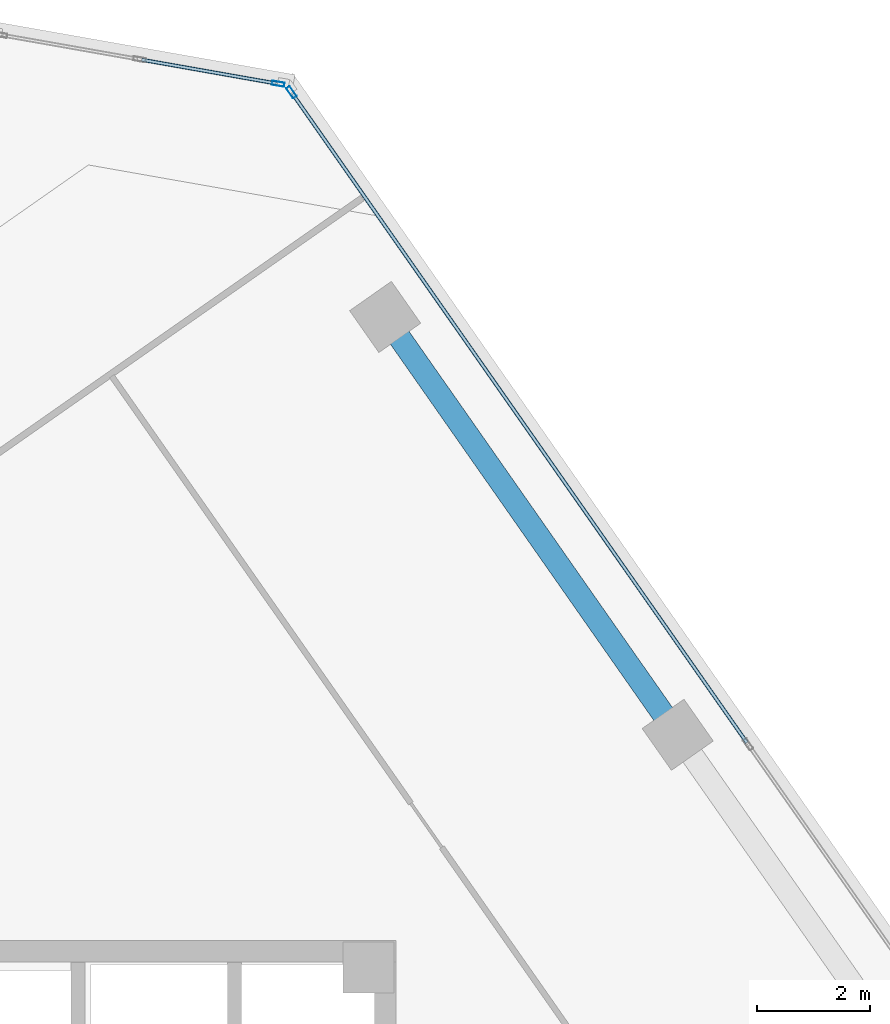
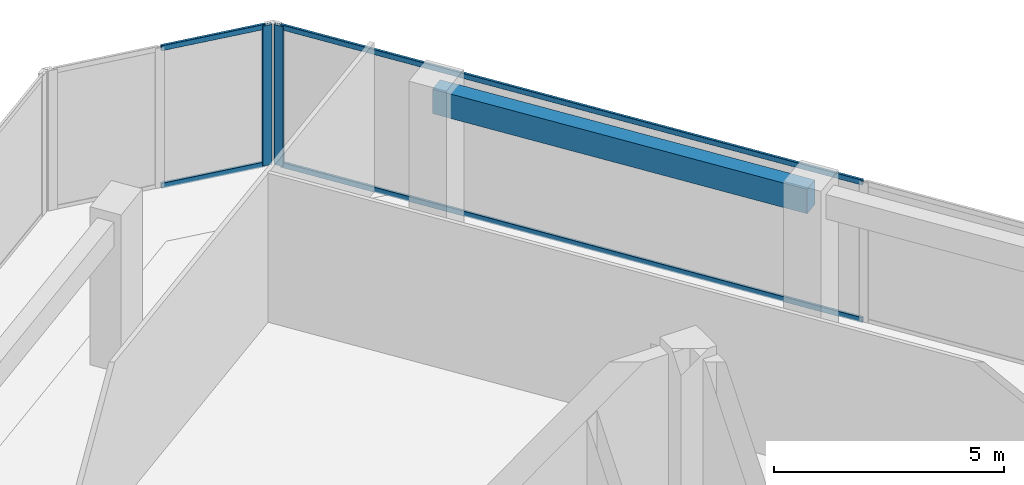
# One storey, part 10 of 17: 6 members, 1 beam, 2 elements without a shape of their own.
"""IFC4 building model written with IfcOpenShell, lengths in metres."""

from ifc_helpers import new_model, si_unit, direction, frame, origin, origin_2d, place, context, subcontext, project, spatial, rectangle, hollow_rectangle, extrude, source, transform, mapped, material, material_profile, profile_set, type_object, element, aggregate, save


model = new_model("IFC4")

# Units and contexts
model_context = context("Model", 3, precision=1e-05, world=origin(), true_north=direction((0.0, 1.0)))
body_context = subcontext(model_context, "Body", "Model", "MODEL_VIEW")
ifc_project = project(units=[si_unit("LENGTHUNIT", "METRE"), si_unit("AREAUNIT", "SQUARE_METRE"), si_unit("VOLUMEUNIT", "CUBIC_METRE"), si_unit("PLANEANGLEUNIT", "RADIAN"), si_unit("MASSUNIT", "GRAM", prefix="KILO")], contexts=[model_context])

# Site, building, storey
site_placement = place(None, origin())
site = spatial("IfcSite", under=ifc_project, at=site_placement, CompositionType="ELEMENT")
building_placement = place(site_placement, origin())
building = spatial("IfcBuilding", under=site, at=building_placement, Name="Torre Montelarca", CompositionType="ELEMENT")
storey_placement = place(building_placement, frame((0.0, 0.0, 298.800048828125)))
storey = spatial("IfcBuildingStorey", under=building, at=storey_placement, Name="L67", CompositionType="ELEMENT", Elevation=298.800048828125)

# Beam
ifc_material_1 = material(Name="Concrete C40/50", Category="concrete")
ifc_material_profile_1 = material_profile(ifc_material_1, rectangle(XDim=0.39990234375, YDim=0.64990234375, at=origin_2d()), Name="RCB400X650", Category="concrete")
ifc_profile_set_1 = profile_set([ifc_material_profile_1], Name="Concrete C40/50")
beam_type = type_object("IfcBeamType", Name="BM-SP-RC650-EXT", PredefinedType="SPANDREL", material=ifc_profile_set_1)
shared_shape_1 = source(origin(), body_context, "Body", "SweptSolid", [
    extrude(rectangle(XDim=0.39990234375, YDim=0.64990234375, at=origin_2d()), origin(), (0.0, 0.0, 1.0), 9.0),
])
beam_placement = place(storey_placement, frame((26.740478515625, 50.92919921875, 3.635009765625), z_axis=(0.573560650686, -0.819163097304, 0.0), x_axis=(0.819163097304, 0.573560650686, 0.0)))
element("IfcBeam", 1, at=beam_placement, inside=storey, type_object=beam_type, Name="L67 Grid Girder X 9.0-18.0 at Y=47.1", PredefinedType="SPANDREL", context=body_context, shape_type="MappedRepresentation", body=[
    mapped(shared_shape_1, transform((0.0, 0.0, 0.0), scale=1.0)),
])

# Curtain wall, member
ifc_material_2 = material(Name="Insulated low-E laminated glass", Category="glass")
curtain_wall_type = type_object("IfcCurtainWallType", Name="CW-SYS-Z4", PredefinedType="USERDEFINED", material=ifc_material_2)
curtain_wall_1_placement = place(storey_placement, origin())
curtain_wall_1 = element("IfcCurtainWall", 2, at=curtain_wall_1_placement, inside=storey, type_object=curtain_wall_type, Name="L67 Curtain Wall Run CW-T3-L67-E08-B1", ObjectType="UNITISED GLAZING", PredefinedType="USERDEFINED")
ifc_material_3 = material(Name="Anodised aluminium AA 6063-T6", Category="aluminium")
ifc_material_profile_2 = material_profile(ifc_material_3, hollow_rectangle(XDim=0.074951171875, YDim=0.219970703125, WallThickness=0.0048828125, InnerFilletRadius=0.0048828125, OuterFilletRadius=0.010009765625, at=origin_2d()), Name="ALU75X220X5", Category="aluminium")
ifc_profile_set_2 = profile_set([ifc_material_profile_2], Name="Anodised aluminium AA 6063-T6")
member_type_1 = type_object("IfcMemberType", Name="CWM-ALU220", PredefinedType="MULLION", material=ifc_profile_set_2)
shared_shape_2 = source(origin(), body_context, "Body", "SweptSolid", [
    extrude(hollow_rectangle(XDim=0.074951171875, YDim=0.219970703125, WallThickness=0.0048828125, InnerFilletRadius=0.0048828125, OuterFilletRadius=0.010009765625, at=origin_2d()), origin(), (0.0, 0.0, 1.0), 3.719970703125),
])
member_1_placement = place(storey_placement, frame((25.0869140625, 54.89453125, 0.0), z_axis=(0.0, 0.0, 1.0), x_axis=(-0.819155860287, -0.573570986503, 0.0)))
member_1 = element("IfcMember", 3, at=member_1_placement, type_object=member_type_1, Name="CW mullion 3", PredefinedType="MULLION", context=body_context, shape_type="MappedRepresentation", body=[
    mapped(shared_shape_2, transform((0.0, 0.0, 0.0), scale=1.0)),
])

# Curtain wall, members
curtain_wall_2_placement = place(storey_placement, origin())
curtain_wall_2 = element("IfcCurtainWall", 4, at=curtain_wall_2_placement, inside=storey, type_object=curtain_wall_type, Name="L67 Curtain Wall Run CW-T3-L67-E09-B1", ObjectType="UNITISED GLAZING", PredefinedType="USERDEFINED")
member_2_placement = place(storey_placement, frame((24.85400390625, 55.04296875, 0.0), z_axis=(0.0, 0.0, 1.0), x_axis=(-0.173634856638, -0.984810101776, 0.0)))
member_2 = element("IfcMember", 5, at=member_2_placement, type_object=member_type_1, Name="CW mullion 1", PredefinedType="MULLION", context=body_context, shape_type="MappedRepresentation", body=[
    mapped(shared_shape_2, transform((0.0, 0.0, 0.0), scale=1.0)),
])
ifc_material_profile_3 = material_profile(ifc_material_3, hollow_rectangle(XDim=0.06494140625, YDim=0.139892578125, WallThickness=0.00390625, InnerFilletRadius=0.00390625, OuterFilletRadius=0.008056640625, at=origin_2d()), Name="ALU65X140X4", Category="aluminium")
ifc_profile_set_3 = profile_set([ifc_material_profile_3], Name="Anodised aluminium AA 6063-T6")
member_type_2 = type_object("IfcMemberType", Name="CWT-ALU140", PredefinedType="USERDEFINED", material=ifc_profile_set_3)
shared_shape_3 = source(origin(), body_context, "Body", "SweptSolid", [
    extrude(hollow_rectangle(XDim=0.06494140625, YDim=0.139892578125, WallThickness=0.00390625, InnerFilletRadius=0.00390625, OuterFilletRadius=0.008056640625, at=origin_2d()), origin(), (0.0, 0.0, 1.0), 2.40869140625),
])
member_3_placement = place(storey_placement, frame((24.817138671875, 55.04931640625, 0.032470703125), z_axis=(-0.984811097241, 0.173629210537, 0.0), x_axis=(-0.173629210537, -0.984811097241, 0.0)))
member_3 = element("IfcMember", 6, at=member_3_placement, type_object=member_type_2, Name="CW transom 1.1", ObjectType="TRANSOM", PredefinedType="USERDEFINED", context=body_context, shape_type="MappedRepresentation", body=[
    mapped(shared_shape_3, transform((0.0, 0.0, 0.0), scale=1.0)),
])
member_4_placement = place(storey_placement, frame((24.817138671875, 55.04931640625, 3.6875), z_axis=(-0.984811097241, 0.173629210537, 0.0), x_axis=(-0.173629210537, -0.984811097241, 0.0)))
member_4 = element("IfcMember", 7, at=member_4_placement, type_object=member_type_2, Name="CW transom 1.2", ObjectType="TRANSOM", PredefinedType="USERDEFINED", context=body_context, shape_type="MappedRepresentation", body=[
    mapped(shared_shape_3, transform((0.0, 0.0, 0.0), scale=1.0)),
])
aggregate(curtain_wall_2, [member_2, member_3, member_4])

# Member
shared_shape_4 = source(origin(), body_context, "Body", "SweptSolid", [
    extrude(hollow_rectangle(XDim=0.06494140625, YDim=0.139892578125, WallThickness=0.00390625, InnerFilletRadius=0.00390625, OuterFilletRadius=0.008056640625, at=origin_2d()), origin(), (0.0, 0.0, 1.0), 13.971923828125),
])
member_5_placement = place(storey_placement, frame((33.122314453125, 43.418701171875, 0.032470703125), z_axis=(-0.57357609417, 0.819152283887, 0.0), x_axis=(-0.819152283887, -0.57357609417, 0.0)))
member_5 = element("IfcMember", 8, at=member_5_placement, type_object=member_type_2, Name="CW transom 2.1", ObjectType="TRANSOM", PredefinedType="USERDEFINED", context=body_context, shape_type="MappedRepresentation", body=[
    mapped(shared_shape_4, transform((0.0, 0.0, 0.0), scale=1.0)),
])

member_6_placement = place(storey_placement, frame((33.122314453125, 43.418701171875, 3.6875), z_axis=(-0.57357609417, 0.819152283887, 0.0), x_axis=(-0.819152283887, -0.57357609417, 0.0)))
member_6 = element("IfcMember", 9, at=member_6_placement, type_object=member_type_2, Name="CW transom 2.2", ObjectType="TRANSOM", PredefinedType="USERDEFINED", context=body_context, shape_type="MappedRepresentation", body=[
    mapped(shared_shape_4, transform((0.0, 0.0, 0.0), scale=1.0)),
])

aggregate(curtain_wall_1, [member_1, member_5, member_6])

save(model, "model.ifc")
